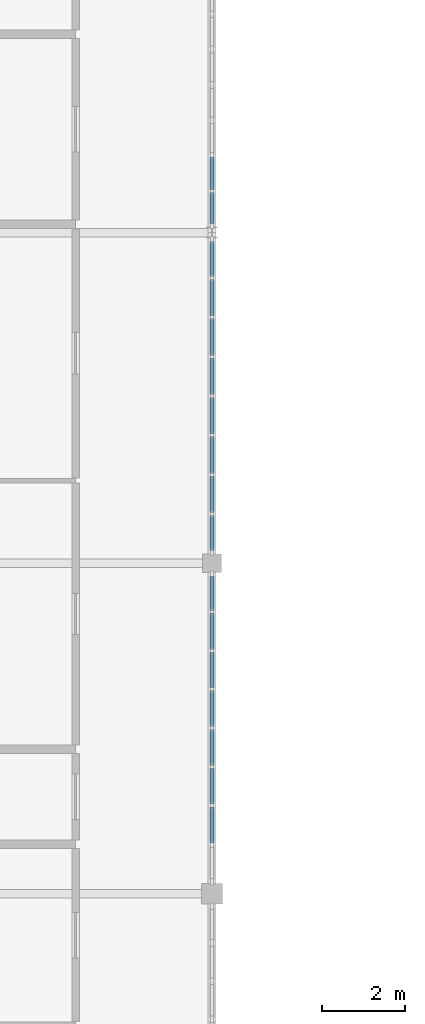
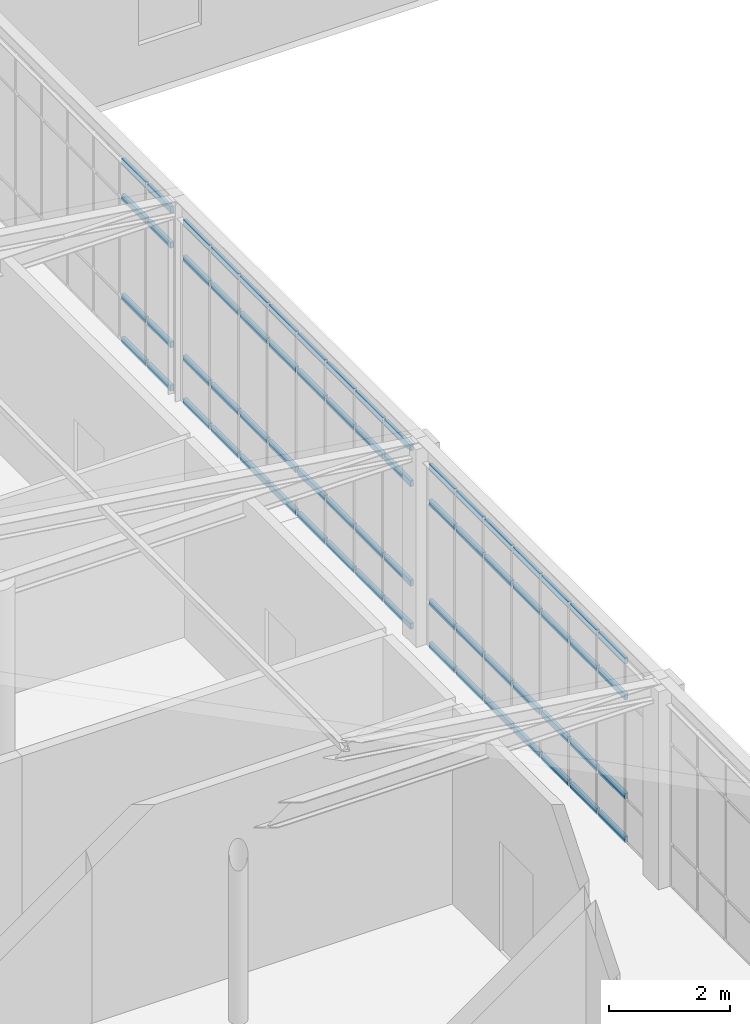
# One storey, part 10 of 21: 68 members, 3 elements without a shape of their own.
"""IFC4 building model written with IfcOpenShell, lengths in metres."""

from ifc_helpers import new_model, si_unit, direction, frame, origin, origin_2d, place, context, subcontext, project, spatial, rectangle, extrude, material, material_profile, profile_set, type_object, element, aggregate, save


model = new_model("IFC4")

# Units and contexts
model_context = context("Model", 3, precision=1e-05, world=origin(), true_north=direction((0.0, 1.0)))
body_context = subcontext(model_context, "Body", "Model", "MODEL_VIEW")
ifc_project = project(units=[si_unit("LENGTHUNIT", "METRE"), si_unit("AREAUNIT", "SQUARE_METRE"), si_unit("VOLUMEUNIT", "CUBIC_METRE"), si_unit("PLANEANGLEUNIT", "RADIAN"), si_unit("MASSUNIT", "GRAM", prefix="KILO")], contexts=[model_context])

# Site, building, storey
site_placement = place(None, origin())
site = spatial("IfcSite", under=ifc_project, at=site_placement, CompositionType="ELEMENT")
building_placement = place(site_placement, origin())
building = spatial("IfcBuilding", under=site, at=building_placement, Name="Tarnveldt Square Police Headquarters", CompositionType="ELEMENT")
storey_placement = place(building_placement, frame((0.0, 0.0, 33.300048828125)))
storey = spatial("IfcBuildingStorey", under=building, at=storey_placement, Name="L07", CompositionType="ELEMENT", Elevation=33.300048828125)

# Curtain wall, members
ifc_material_1 = material(Name="Triple-glazed low-e laminated vision glass", Category="glass")
curtain_wall_type_1 = type_object("IfcCurtainWallType", Name="CW-UP-750x366", PredefinedType="USERDEFINED", material=ifc_material_1)
curtain_wall_1_placement = place(storey_placement, origin())
curtain_wall_1 = element("IfcCurtainWall", 1, at=curtain_wall_1_placement, inside=storey, type_object=curtain_wall_type_1, Name="L07 Curtain Wall CW-L07-096", ObjectType="GLAZED CURTAIN WALL", PredefinedType="USERDEFINED")
ifc_material_2 = material(Name="Thermally broken anodised aluminium 6063-T6", Category="aluminium")
ifc_material_profile = material_profile(ifc_material_2, rectangle(XDim=0.06494140625, YDim=0.1201171875, at=origin_2d()), Name="CW-T65x120")
ifc_profile_set = profile_set([ifc_material_profile], Name="Thermally broken anodised aluminium 6063-T6")
member_type = type_object("IfcMemberType", Name="CWT-65x120", PredefinedType="USERDEFINED", material=ifc_profile_set)
member_1_placement = place(storey_placement, frame((40.5, 73.234375, 0.032470703125), z_axis=(0.0, 1.0, 0.0), x_axis=(-1.0, 0.0, 0.0)))
member_1 = element("IfcMember", 2, at=member_1_placement, type_object=member_type, Name="CW-UP53 transom 2.1", ObjectType="TRANSOM", PredefinedType="USERDEFINED", context=body_context, shape_type="SweptSolid", body=[
    extrude(rectangle(XDim=0.06494140625, YDim=0.1201171875, at=origin_2d()), origin(), (0.0, 0.0, 1.0), 0.871826171875),
])
member_2_placement = place(storey_placement, frame((40.5, 73.234375, 0.89990234375), z_axis=(0.0, 1.0, 0.0), x_axis=(-1.0, 0.0, 0.0)))
member_2 = element("IfcMember", 3, at=member_2_placement, type_object=member_type, Name="CW-UP53 transom 2.2", ObjectType="TRANSOM", PredefinedType="USERDEFINED", context=body_context, shape_type="SweptSolid", body=[
    extrude(rectangle(XDim=0.06494140625, YDim=0.1201171875, at=origin_2d()), origin(), (0.0, 0.0, 1.0), 0.871826171875),
])
member_3_placement = place(storey_placement, frame((40.5, 73.234375, 2.905029296875), z_axis=(0.0, 1.0, 0.0), x_axis=(-1.0, 0.0, 0.0)))
member_3 = element("IfcMember", 4, at=member_3_placement, type_object=member_type, Name="CW-UP53 transom 2.3", ObjectType="TRANSOM", PredefinedType="USERDEFINED", context=body_context, shape_type="SweptSolid", body=[
    extrude(rectangle(XDim=0.06494140625, YDim=0.1201171875, at=origin_2d()), origin(), (0.0, 0.0, 1.0), 0.871826171875),
])
member_4_placement = place(storey_placement, frame((40.5, 73.234375, 3.62255859375), z_axis=(0.0, 1.0, 0.0), x_axis=(-1.0, 0.0, 0.0)))
member_4 = element("IfcMember", 5, at=member_4_placement, type_object=member_type, Name="CW-UP53 transom 2.4", ObjectType="TRANSOM", PredefinedType="USERDEFINED", context=body_context, shape_type="SweptSolid", body=[
    extrude(rectangle(XDim=0.06494140625, YDim=0.1201171875, at=origin_2d()), origin(), (0.0, 0.0, 1.0), 0.871826171875),
])
member_5_placement = place(storey_placement, frame((40.5, 74.171142578125, 0.032470703125), z_axis=(0.0, 1.0, 0.0), x_axis=(-1.0, 0.0, 0.0)))
member_5 = element("IfcMember", 6, at=member_5_placement, type_object=member_type, Name="CW-UP53 transom 3.1", ObjectType="TRANSOM", PredefinedType="USERDEFINED", context=body_context, shape_type="SweptSolid", body=[
    extrude(rectangle(XDim=0.06494140625, YDim=0.1201171875, at=origin_2d()), origin(), (0.0, 0.0, 1.0), 0.8720703125),
])
member_6_placement = place(storey_placement, frame((40.5, 74.171142578125, 0.89990234375), z_axis=(0.0, 1.0, 0.0), x_axis=(-1.0, 0.0, 0.0)))
member_6 = element("IfcMember", 7, at=member_6_placement, type_object=member_type, Name="CW-UP53 transom 3.2", ObjectType="TRANSOM", PredefinedType="USERDEFINED", context=body_context, shape_type="SweptSolid", body=[
    extrude(rectangle(XDim=0.06494140625, YDim=0.1201171875, at=origin_2d()), origin(), (0.0, 0.0, 1.0), 0.8720703125),
])
member_7_placement = place(storey_placement, frame((40.5, 74.171142578125, 2.905029296875), z_axis=(0.0, 1.0, 0.0), x_axis=(-1.0, 0.0, 0.0)))
member_7 = element("IfcMember", 8, at=member_7_placement, type_object=member_type, Name="CW-UP53 transom 3.3", ObjectType="TRANSOM", PredefinedType="USERDEFINED", context=body_context, shape_type="SweptSolid", body=[
    extrude(rectangle(XDim=0.06494140625, YDim=0.1201171875, at=origin_2d()), origin(), (0.0, 0.0, 1.0), 0.8720703125),
])
member_8_placement = place(storey_placement, frame((40.5, 74.171142578125, 3.62255859375), z_axis=(0.0, 1.0, 0.0), x_axis=(-1.0, 0.0, 0.0)))
member_8 = element("IfcMember", 9, at=member_8_placement, type_object=member_type, Name="CW-UP53 transom 3.4", ObjectType="TRANSOM", PredefinedType="USERDEFINED", context=body_context, shape_type="SweptSolid", body=[
    extrude(rectangle(XDim=0.06494140625, YDim=0.1201171875, at=origin_2d()), origin(), (0.0, 0.0, 1.0), 0.8720703125),
])
member_9_placement = place(storey_placement, frame((40.5, 75.108154296875, 0.032470703125), z_axis=(0.0, 1.0, 0.0), x_axis=(-1.0, 0.0, 0.0)))
member_9 = element("IfcMember", 10, at=member_9_placement, type_object=member_type, Name="CW-UP53 transom 4.1", ObjectType="TRANSOM", PredefinedType="USERDEFINED", context=body_context, shape_type="SweptSolid", body=[
    extrude(rectangle(XDim=0.06494140625, YDim=0.1201171875, at=origin_2d()), origin(), (0.0, 0.0, 1.0), 0.871826171875),
])
member_10_placement = place(storey_placement, frame((40.5, 75.108154296875, 0.89990234375), z_axis=(0.0, 1.0, 0.0), x_axis=(-1.0, 0.0, 0.0)))
member_10 = element("IfcMember", 11, at=member_10_placement, type_object=member_type, Name="CW-UP53 transom 4.2", ObjectType="TRANSOM", PredefinedType="USERDEFINED", context=body_context, shape_type="SweptSolid", body=[
    extrude(rectangle(XDim=0.06494140625, YDim=0.1201171875, at=origin_2d()), origin(), (0.0, 0.0, 1.0), 0.871826171875),
])
member_11_placement = place(storey_placement, frame((40.5, 75.108154296875, 2.905029296875), z_axis=(0.0, 1.0, 0.0), x_axis=(-1.0, 0.0, 0.0)))
member_11 = element("IfcMember", 12, at=member_11_placement, type_object=member_type, Name="CW-UP53 transom 4.3", ObjectType="TRANSOM", PredefinedType="USERDEFINED", context=body_context, shape_type="SweptSolid", body=[
    extrude(rectangle(XDim=0.06494140625, YDim=0.1201171875, at=origin_2d()), origin(), (0.0, 0.0, 1.0), 0.871826171875),
])
member_12_placement = place(storey_placement, frame((40.5, 75.108154296875, 3.62255859375), z_axis=(0.0, 1.0, 0.0), x_axis=(-1.0, 0.0, 0.0)))
member_12 = element("IfcMember", 13, at=member_12_placement, type_object=member_type, Name="CW-UP53 transom 4.4", ObjectType="TRANSOM", PredefinedType="USERDEFINED", context=body_context, shape_type="SweptSolid", body=[
    extrude(rectangle(XDim=0.06494140625, YDim=0.1201171875, at=origin_2d()), origin(), (0.0, 0.0, 1.0), 0.871826171875),
])
member_13_placement = place(storey_placement, frame((40.5, 76.044921875, 0.032470703125), z_axis=(0.0, 1.0, 0.0), x_axis=(-1.0, 0.0, 0.0)))
member_13 = element("IfcMember", 14, at=member_13_placement, type_object=member_type, Name="CW-UP53 transom 5.1", ObjectType="TRANSOM", PredefinedType="USERDEFINED", context=body_context, shape_type="SweptSolid", body=[
    extrude(rectangle(XDim=0.06494140625, YDim=0.1201171875, at=origin_2d()), origin(), (0.0, 0.0, 1.0), 0.8720703125),
])
member_14_placement = place(storey_placement, frame((40.5, 76.044921875, 0.89990234375), z_axis=(0.0, 1.0, 0.0), x_axis=(-1.0, 0.0, 0.0)))
member_14 = element("IfcMember", 15, at=member_14_placement, type_object=member_type, Name="CW-UP53 transom 5.2", ObjectType="TRANSOM", PredefinedType="USERDEFINED", context=body_context, shape_type="SweptSolid", body=[
    extrude(rectangle(XDim=0.06494140625, YDim=0.1201171875, at=origin_2d()), origin(), (0.0, 0.0, 1.0), 0.8720703125),
])
member_15_placement = place(storey_placement, frame((40.5, 76.044921875, 2.905029296875), z_axis=(0.0, 1.0, 0.0), x_axis=(-1.0, 0.0, 0.0)))
member_15 = element("IfcMember", 16, at=member_15_placement, type_object=member_type, Name="CW-UP53 transom 5.3", ObjectType="TRANSOM", PredefinedType="USERDEFINED", context=body_context, shape_type="SweptSolid", body=[
    extrude(rectangle(XDim=0.06494140625, YDim=0.1201171875, at=origin_2d()), origin(), (0.0, 0.0, 1.0), 0.8720703125),
])
member_16_placement = place(storey_placement, frame((40.5, 76.044921875, 3.62255859375), z_axis=(0.0, 1.0, 0.0), x_axis=(-1.0, 0.0, 0.0)))
member_16 = element("IfcMember", 17, at=member_16_placement, type_object=member_type, Name="CW-UP53 transom 5.4", ObjectType="TRANSOM", PredefinedType="USERDEFINED", context=body_context, shape_type="SweptSolid", body=[
    extrude(rectangle(XDim=0.06494140625, YDim=0.1201171875, at=origin_2d()), origin(), (0.0, 0.0, 1.0), 0.8720703125),
])
member_17_placement = place(storey_placement, frame((40.5, 76.98193359375, 0.032470703125), z_axis=(0.0, 1.0, 0.0), x_axis=(-1.0, 0.0, 0.0)))
member_17 = element("IfcMember", 18, at=member_17_placement, type_object=member_type, Name="CW-UP53 transom 6.1", ObjectType="TRANSOM", PredefinedType="USERDEFINED", context=body_context, shape_type="SweptSolid", body=[
    extrude(rectangle(XDim=0.06494140625, YDim=0.1201171875, at=origin_2d()), origin(), (0.0, 0.0, 1.0), 0.871826171875),
])
member_18_placement = place(storey_placement, frame((40.5, 76.98193359375, 0.89990234375), z_axis=(0.0, 1.0, 0.0), x_axis=(-1.0, 0.0, 0.0)))
member_18 = element("IfcMember", 19, at=member_18_placement, type_object=member_type, Name="CW-UP53 transom 6.2", ObjectType="TRANSOM", PredefinedType="USERDEFINED", context=body_context, shape_type="SweptSolid", body=[
    extrude(rectangle(XDim=0.06494140625, YDim=0.1201171875, at=origin_2d()), origin(), (0.0, 0.0, 1.0), 0.871826171875),
])
member_19_placement = place(storey_placement, frame((40.5, 76.98193359375, 2.905029296875), z_axis=(0.0, 1.0, 0.0), x_axis=(-1.0, 0.0, 0.0)))
member_19 = element("IfcMember", 20, at=member_19_placement, type_object=member_type, Name="CW-UP53 transom 6.3", ObjectType="TRANSOM", PredefinedType="USERDEFINED", context=body_context, shape_type="SweptSolid", body=[
    extrude(rectangle(XDim=0.06494140625, YDim=0.1201171875, at=origin_2d()), origin(), (0.0, 0.0, 1.0), 0.871826171875),
])
member_20_placement = place(storey_placement, frame((40.5, 76.98193359375, 3.62255859375), z_axis=(0.0, 1.0, 0.0), x_axis=(-1.0, 0.0, 0.0)))
member_20 = element("IfcMember", 21, at=member_20_placement, type_object=member_type, Name="CW-UP53 transom 6.4", ObjectType="TRANSOM", PredefinedType="USERDEFINED", context=body_context, shape_type="SweptSolid", body=[
    extrude(rectangle(XDim=0.06494140625, YDim=0.1201171875, at=origin_2d()), origin(), (0.0, 0.0, 1.0), 0.871826171875),
])
member_21_placement = place(storey_placement, frame((40.5, 77.918701171875, 0.032470703125), z_axis=(0.0, 1.0, 0.0), x_axis=(-1.0, 0.0, 0.0)))
member_21 = element("IfcMember", 22, at=member_21_placement, type_object=member_type, Name="CW-UP53 transom 7.1", ObjectType="TRANSOM", PredefinedType="USERDEFINED", context=body_context, shape_type="SweptSolid", body=[
    extrude(rectangle(XDim=0.06494140625, YDim=0.1201171875, at=origin_2d()), origin(), (0.0, 0.0, 1.0), 0.871826171875),
])
member_22_placement = place(storey_placement, frame((40.5, 77.918701171875, 0.89990234375), z_axis=(0.0, 1.0, 0.0), x_axis=(-1.0, 0.0, 0.0)))
member_22 = element("IfcMember", 23, at=member_22_placement, type_object=member_type, Name="CW-UP53 transom 7.2", ObjectType="TRANSOM", PredefinedType="USERDEFINED", context=body_context, shape_type="SweptSolid", body=[
    extrude(rectangle(XDim=0.06494140625, YDim=0.1201171875, at=origin_2d()), origin(), (0.0, 0.0, 1.0), 0.871826171875),
])
member_23_placement = place(storey_placement, frame((40.5, 77.918701171875, 2.905029296875), z_axis=(0.0, 1.0, 0.0), x_axis=(-1.0, 0.0, 0.0)))
member_23 = element("IfcMember", 24, at=member_23_placement, type_object=member_type, Name="CW-UP53 transom 7.3", ObjectType="TRANSOM", PredefinedType="USERDEFINED", context=body_context, shape_type="SweptSolid", body=[
    extrude(rectangle(XDim=0.06494140625, YDim=0.1201171875, at=origin_2d()), origin(), (0.0, 0.0, 1.0), 0.871826171875),
])
member_24_placement = place(storey_placement, frame((40.5, 77.918701171875, 3.62255859375), z_axis=(0.0, 1.0, 0.0), x_axis=(-1.0, 0.0, 0.0)))
member_24 = element("IfcMember", 25, at=member_24_placement, type_object=member_type, Name="CW-UP53 transom 7.4", ObjectType="TRANSOM", PredefinedType="USERDEFINED", context=body_context, shape_type="SweptSolid", body=[
    extrude(rectangle(XDim=0.06494140625, YDim=0.1201171875, at=origin_2d()), origin(), (0.0, 0.0, 1.0), 0.871826171875),
])
member_25_placement = place(storey_placement, frame((40.5, 78.855712890625, 0.032470703125), z_axis=(0.0, 1.0, 0.0), x_axis=(-1.0, 0.0, 0.0)))
member_25 = element("IfcMember", 26, at=member_25_placement, type_object=member_type, Name="CW-UP53 transom 8.1", ObjectType="TRANSOM", PredefinedType="USERDEFINED", context=body_context, shape_type="SweptSolid", body=[
    extrude(rectangle(XDim=0.06494140625, YDim=0.1201171875, at=origin_2d()), origin(), (0.0, 0.0, 1.0), 0.83935546875),
])
member_26_placement = place(storey_placement, frame((40.5, 78.855712890625, 0.89990234375), z_axis=(0.0, 1.0, 0.0), x_axis=(-1.0, 0.0, 0.0)))
member_26 = element("IfcMember", 27, at=member_26_placement, type_object=member_type, Name="CW-UP53 transom 8.2", ObjectType="TRANSOM", PredefinedType="USERDEFINED", context=body_context, shape_type="SweptSolid", body=[
    extrude(rectangle(XDim=0.06494140625, YDim=0.1201171875, at=origin_2d()), origin(), (0.0, 0.0, 1.0), 0.83935546875),
])
member_27_placement = place(storey_placement, frame((40.5, 78.855712890625, 2.905029296875), z_axis=(0.0, 1.0, 0.0), x_axis=(-1.0, 0.0, 0.0)))
member_27 = element("IfcMember", 28, at=member_27_placement, type_object=member_type, Name="CW-UP53 transom 8.3", ObjectType="TRANSOM", PredefinedType="USERDEFINED", context=body_context, shape_type="SweptSolid", body=[
    extrude(rectangle(XDim=0.06494140625, YDim=0.1201171875, at=origin_2d()), origin(), (0.0, 0.0, 1.0), 0.83935546875),
])
member_28_placement = place(storey_placement, frame((40.5, 78.855712890625, 3.62255859375), z_axis=(0.0, 1.0, 0.0), x_axis=(-1.0, 0.0, 0.0)))
member_28 = element("IfcMember", 29, at=member_28_placement, type_object=member_type, Name="CW-UP53 transom 8.4", ObjectType="TRANSOM", PredefinedType="USERDEFINED", context=body_context, shape_type="SweptSolid", body=[
    extrude(rectangle(XDim=0.06494140625, YDim=0.1201171875, at=origin_2d()), origin(), (0.0, 0.0, 1.0), 0.83935546875),
])
aggregate(curtain_wall_1, [member_1, member_2, member_3, member_4, member_5, member_6, member_7, member_8, member_9, member_10, member_11, member_12, member_13, member_14, member_15, member_16, member_17, member_18, member_19, member_20, member_21, member_22, member_23, member_24, member_25, member_26, member_27, member_28])

curtain_wall_type_2 = type_object("IfcCurtainWallType", Name="CW-UP-762x366", PredefinedType="USERDEFINED", material=ifc_material_1)
curtain_wall_2_placement = place(storey_placement, origin())
curtain_wall_2 = element("IfcCurtainWall", 30, at=curtain_wall_2_placement, inside=storey, type_object=curtain_wall_type_2, Name="L07 Curtain Wall CW-L07-097", ObjectType="GLAZED CURTAIN WALL", PredefinedType="USERDEFINED")
member_29_placement = place(storey_placement, frame((40.5, 80.304931640625, 0.032470703125), z_axis=(0.0, 1.0, 0.0), x_axis=(-1.0, 0.0, 0.0)))
member_29 = element("IfcMember", 31, at=member_29_placement, type_object=member_type, Name="CW-UP54 transom 1.1", ObjectType="TRANSOM", PredefinedType="USERDEFINED", context=body_context, shape_type="SweptSolid", body=[
    extrude(rectangle(XDim=0.06494140625, YDim=0.1201171875, at=origin_2d()), origin(), (0.0, 0.0, 1.0), 0.8544921875),
])
member_30_placement = place(storey_placement, frame((40.5, 80.304931640625, 0.89990234375), z_axis=(0.0, 1.0, 0.0), x_axis=(-1.0, 0.0, 0.0)))
member_30 = element("IfcMember", 32, at=member_30_placement, type_object=member_type, Name="CW-UP54 transom 1.2", ObjectType="TRANSOM", PredefinedType="USERDEFINED", context=body_context, shape_type="SweptSolid", body=[
    extrude(rectangle(XDim=0.06494140625, YDim=0.1201171875, at=origin_2d()), origin(), (0.0, 0.0, 1.0), 0.8544921875),
])
member_31_placement = place(storey_placement, frame((40.5, 80.304931640625, 2.905029296875), z_axis=(0.0, 1.0, 0.0), x_axis=(-1.0, 0.0, 0.0)))
member_31 = element("IfcMember", 33, at=member_31_placement, type_object=member_type, Name="CW-UP54 transom 1.3", ObjectType="TRANSOM", PredefinedType="USERDEFINED", context=body_context, shape_type="SweptSolid", body=[
    extrude(rectangle(XDim=0.06494140625, YDim=0.1201171875, at=origin_2d()), origin(), (0.0, 0.0, 1.0), 0.8544921875),
])
member_32_placement = place(storey_placement, frame((40.5, 80.304931640625, 3.62255859375), z_axis=(0.0, 1.0, 0.0), x_axis=(-1.0, 0.0, 0.0)))
member_32 = element("IfcMember", 34, at=member_32_placement, type_object=member_type, Name="CW-UP54 transom 1.4", ObjectType="TRANSOM", PredefinedType="USERDEFINED", context=body_context, shape_type="SweptSolid", body=[
    extrude(rectangle(XDim=0.06494140625, YDim=0.1201171875, at=origin_2d()), origin(), (0.0, 0.0, 1.0), 0.8544921875),
])
member_33_placement = place(storey_placement, frame((40.5, 81.224365234375, 0.032470703125), z_axis=(0.0, 1.0, 0.0), x_axis=(-1.0, 0.0, 0.0)))
member_33 = element("IfcMember", 35, at=member_33_placement, type_object=member_type, Name="CW-UP54 transom 2.1", ObjectType="TRANSOM", PredefinedType="USERDEFINED", context=body_context, shape_type="SweptSolid", body=[
    extrude(rectangle(XDim=0.06494140625, YDim=0.1201171875, at=origin_2d()), origin(), (0.0, 0.0, 1.0), 0.886962890625),
])
member_34_placement = place(storey_placement, frame((40.5, 81.224365234375, 0.89990234375), z_axis=(0.0, 1.0, 0.0), x_axis=(-1.0, 0.0, 0.0)))
member_34 = element("IfcMember", 36, at=member_34_placement, type_object=member_type, Name="CW-UP54 transom 2.2", ObjectType="TRANSOM", PredefinedType="USERDEFINED", context=body_context, shape_type="SweptSolid", body=[
    extrude(rectangle(XDim=0.06494140625, YDim=0.1201171875, at=origin_2d()), origin(), (0.0, 0.0, 1.0), 0.886962890625),
])
member_35_placement = place(storey_placement, frame((40.5, 81.224365234375, 2.905029296875), z_axis=(0.0, 1.0, 0.0), x_axis=(-1.0, 0.0, 0.0)))
member_35 = element("IfcMember", 37, at=member_35_placement, type_object=member_type, Name="CW-UP54 transom 2.3", ObjectType="TRANSOM", PredefinedType="USERDEFINED", context=body_context, shape_type="SweptSolid", body=[
    extrude(rectangle(XDim=0.06494140625, YDim=0.1201171875, at=origin_2d()), origin(), (0.0, 0.0, 1.0), 0.886962890625),
])
member_36_placement = place(storey_placement, frame((40.5, 81.224365234375, 3.62255859375), z_axis=(0.0, 1.0, 0.0), x_axis=(-1.0, 0.0, 0.0)))
member_36 = element("IfcMember", 38, at=member_36_placement, type_object=member_type, Name="CW-UP54 transom 2.4", ObjectType="TRANSOM", PredefinedType="USERDEFINED", context=body_context, shape_type="SweptSolid", body=[
    extrude(rectangle(XDim=0.06494140625, YDim=0.1201171875, at=origin_2d()), origin(), (0.0, 0.0, 1.0), 0.886962890625),
])
member_37_placement = place(storey_placement, frame((40.5, 82.17626953125, 0.032470703125), z_axis=(0.0, 1.0, 0.0), x_axis=(-1.0, 0.0, 0.0)))
member_37 = element("IfcMember", 39, at=member_37_placement, type_object=member_type, Name="CW-UP54 transom 3.1", ObjectType="TRANSOM", PredefinedType="USERDEFINED", context=body_context, shape_type="SweptSolid", body=[
    extrude(rectangle(XDim=0.06494140625, YDim=0.1201171875, at=origin_2d()), origin(), (0.0, 0.0, 1.0), 0.886962890625),
])
member_38_placement = place(storey_placement, frame((40.5, 82.17626953125, 0.89990234375), z_axis=(0.0, 1.0, 0.0), x_axis=(-1.0, 0.0, 0.0)))
member_38 = element("IfcMember", 40, at=member_38_placement, type_object=member_type, Name="CW-UP54 transom 3.2", ObjectType="TRANSOM", PredefinedType="USERDEFINED", context=body_context, shape_type="SweptSolid", body=[
    extrude(rectangle(XDim=0.06494140625, YDim=0.1201171875, at=origin_2d()), origin(), (0.0, 0.0, 1.0), 0.886962890625),
])
member_39_placement = place(storey_placement, frame((40.5, 82.17626953125, 2.905029296875), z_axis=(0.0, 1.0, 0.0), x_axis=(-1.0, 0.0, 0.0)))
member_39 = element("IfcMember", 41, at=member_39_placement, type_object=member_type, Name="CW-UP54 transom 3.3", ObjectType="TRANSOM", PredefinedType="USERDEFINED", context=body_context, shape_type="SweptSolid", body=[
    extrude(rectangle(XDim=0.06494140625, YDim=0.1201171875, at=origin_2d()), origin(), (0.0, 0.0, 1.0), 0.886962890625),
])
member_40_placement = place(storey_placement, frame((40.5, 82.17626953125, 3.62255859375), z_axis=(0.0, 1.0, 0.0), x_axis=(-1.0, 0.0, 0.0)))
member_40 = element("IfcMember", 42, at=member_40_placement, type_object=member_type, Name="CW-UP54 transom 3.4", ObjectType="TRANSOM", PredefinedType="USERDEFINED", context=body_context, shape_type="SweptSolid", body=[
    extrude(rectangle(XDim=0.06494140625, YDim=0.1201171875, at=origin_2d()), origin(), (0.0, 0.0, 1.0), 0.886962890625),
])
member_41_placement = place(storey_placement, frame((40.5, 83.128173828125, 0.032470703125), z_axis=(0.0, 1.0, 0.0), x_axis=(-1.0, 0.0, 0.0)))
member_41 = element("IfcMember", 43, at=member_41_placement, type_object=member_type, Name="CW-UP54 transom 4.1", ObjectType="TRANSOM", PredefinedType="USERDEFINED", context=body_context, shape_type="SweptSolid", body=[
    extrude(rectangle(XDim=0.06494140625, YDim=0.1201171875, at=origin_2d()), origin(), (0.0, 0.0, 1.0), 0.88671875),
])
member_42_placement = place(storey_placement, frame((40.5, 83.128173828125, 0.89990234375), z_axis=(0.0, 1.0, 0.0), x_axis=(-1.0, 0.0, 0.0)))
member_42 = element("IfcMember", 44, at=member_42_placement, type_object=member_type, Name="CW-UP54 transom 4.2", ObjectType="TRANSOM", PredefinedType="USERDEFINED", context=body_context, shape_type="SweptSolid", body=[
    extrude(rectangle(XDim=0.06494140625, YDim=0.1201171875, at=origin_2d()), origin(), (0.0, 0.0, 1.0), 0.88671875),
])
member_43_placement = place(storey_placement, frame((40.5, 83.128173828125, 2.905029296875), z_axis=(0.0, 1.0, 0.0), x_axis=(-1.0, 0.0, 0.0)))
member_43 = element("IfcMember", 45, at=member_43_placement, type_object=member_type, Name="CW-UP54 transom 4.3", ObjectType="TRANSOM", PredefinedType="USERDEFINED", context=body_context, shape_type="SweptSolid", body=[
    extrude(rectangle(XDim=0.06494140625, YDim=0.1201171875, at=origin_2d()), origin(), (0.0, 0.0, 1.0), 0.88671875),
])
member_44_placement = place(storey_placement, frame((40.5, 83.128173828125, 3.62255859375), z_axis=(0.0, 1.0, 0.0), x_axis=(-1.0, 0.0, 0.0)))
member_44 = element("IfcMember", 46, at=member_44_placement, type_object=member_type, Name="CW-UP54 transom 4.4", ObjectType="TRANSOM", PredefinedType="USERDEFINED", context=body_context, shape_type="SweptSolid", body=[
    extrude(rectangle(XDim=0.06494140625, YDim=0.1201171875, at=origin_2d()), origin(), (0.0, 0.0, 1.0), 0.88671875),
])
member_45_placement = place(storey_placement, frame((40.5, 84.080078125, 0.032470703125), z_axis=(0.0, 1.0, 0.0), x_axis=(-1.0, 0.0, 0.0)))
member_45 = element("IfcMember", 47, at=member_45_placement, type_object=member_type, Name="CW-UP54 transom 5.1", ObjectType="TRANSOM", PredefinedType="USERDEFINED", context=body_context, shape_type="SweptSolid", body=[
    extrude(rectangle(XDim=0.06494140625, YDim=0.1201171875, at=origin_2d()), origin(), (0.0, 0.0, 1.0), 0.88671875),
])
member_46_placement = place(storey_placement, frame((40.5, 84.080078125, 0.89990234375), z_axis=(0.0, 1.0, 0.0), x_axis=(-1.0, 0.0, 0.0)))
member_46 = element("IfcMember", 48, at=member_46_placement, type_object=member_type, Name="CW-UP54 transom 5.2", ObjectType="TRANSOM", PredefinedType="USERDEFINED", context=body_context, shape_type="SweptSolid", body=[
    extrude(rectangle(XDim=0.06494140625, YDim=0.1201171875, at=origin_2d()), origin(), (0.0, 0.0, 1.0), 0.88671875),
])
member_47_placement = place(storey_placement, frame((40.5, 84.080078125, 2.905029296875), z_axis=(0.0, 1.0, 0.0), x_axis=(-1.0, 0.0, 0.0)))
member_47 = element("IfcMember", 49, at=member_47_placement, type_object=member_type, Name="CW-UP54 transom 5.3", ObjectType="TRANSOM", PredefinedType="USERDEFINED", context=body_context, shape_type="SweptSolid", body=[
    extrude(rectangle(XDim=0.06494140625, YDim=0.1201171875, at=origin_2d()), origin(), (0.0, 0.0, 1.0), 0.88671875),
])
member_48_placement = place(storey_placement, frame((40.5, 84.080078125, 3.62255859375), z_axis=(0.0, 1.0, 0.0), x_axis=(-1.0, 0.0, 0.0)))
member_48 = element("IfcMember", 50, at=member_48_placement, type_object=member_type, Name="CW-UP54 transom 5.4", ObjectType="TRANSOM", PredefinedType="USERDEFINED", context=body_context, shape_type="SweptSolid", body=[
    extrude(rectangle(XDim=0.06494140625, YDim=0.1201171875, at=origin_2d()), origin(), (0.0, 0.0, 1.0), 0.88671875),
])
member_49_placement = place(storey_placement, frame((40.5, 85.031982421875, 0.032470703125), z_axis=(0.0, 1.0, 0.0), x_axis=(-1.0, 0.0, 0.0)))
member_49 = element("IfcMember", 51, at=member_49_placement, type_object=member_type, Name="CW-UP54 transom 6.1", ObjectType="TRANSOM", PredefinedType="USERDEFINED", context=body_context, shape_type="SweptSolid", body=[
    extrude(rectangle(XDim=0.06494140625, YDim=0.1201171875, at=origin_2d()), origin(), (0.0, 0.0, 1.0), 0.88671875),
])
member_50_placement = place(storey_placement, frame((40.5, 85.031982421875, 0.89990234375), z_axis=(0.0, 1.0, 0.0), x_axis=(-1.0, 0.0, 0.0)))
member_50 = element("IfcMember", 52, at=member_50_placement, type_object=member_type, Name="CW-UP54 transom 6.2", ObjectType="TRANSOM", PredefinedType="USERDEFINED", context=body_context, shape_type="SweptSolid", body=[
    extrude(rectangle(XDim=0.06494140625, YDim=0.1201171875, at=origin_2d()), origin(), (0.0, 0.0, 1.0), 0.88671875),
])
member_51_placement = place(storey_placement, frame((40.5, 85.031982421875, 2.905029296875), z_axis=(0.0, 1.0, 0.0), x_axis=(-1.0, 0.0, 0.0)))
member_51 = element("IfcMember", 53, at=member_51_placement, type_object=member_type, Name="CW-UP54 transom 6.3", ObjectType="TRANSOM", PredefinedType="USERDEFINED", context=body_context, shape_type="SweptSolid", body=[
    extrude(rectangle(XDim=0.06494140625, YDim=0.1201171875, at=origin_2d()), origin(), (0.0, 0.0, 1.0), 0.88671875),
])
member_52_placement = place(storey_placement, frame((40.5, 85.031982421875, 3.62255859375), z_axis=(0.0, 1.0, 0.0), x_axis=(-1.0, 0.0, 0.0)))
member_52 = element("IfcMember", 54, at=member_52_placement, type_object=member_type, Name="CW-UP54 transom 6.4", ObjectType="TRANSOM", PredefinedType="USERDEFINED", context=body_context, shape_type="SweptSolid", body=[
    extrude(rectangle(XDim=0.06494140625, YDim=0.1201171875, at=origin_2d()), origin(), (0.0, 0.0, 1.0), 0.88671875),
])
member_53_placement = place(storey_placement, frame((40.5, 85.983642578125, 0.032470703125), z_axis=(0.0, 1.0, 0.0), x_axis=(-1.0, 0.0, 0.0)))
member_53 = element("IfcMember", 55, at=member_53_placement, type_object=member_type, Name="CW-UP54 transom 7.1", ObjectType="TRANSOM", PredefinedType="USERDEFINED", context=body_context, shape_type="SweptSolid", body=[
    extrude(rectangle(XDim=0.06494140625, YDim=0.1201171875, at=origin_2d()), origin(), (0.0, 0.0, 1.0), 0.886962890625),
])
member_54_placement = place(storey_placement, frame((40.5, 85.983642578125, 0.89990234375), z_axis=(0.0, 1.0, 0.0), x_axis=(-1.0, 0.0, 0.0)))
member_54 = element("IfcMember", 56, at=member_54_placement, type_object=member_type, Name="CW-UP54 transom 7.2", ObjectType="TRANSOM", PredefinedType="USERDEFINED", context=body_context, shape_type="SweptSolid", body=[
    extrude(rectangle(XDim=0.06494140625, YDim=0.1201171875, at=origin_2d()), origin(), (0.0, 0.0, 1.0), 0.886962890625),
])
member_55_placement = place(storey_placement, frame((40.5, 85.983642578125, 2.905029296875), z_axis=(0.0, 1.0, 0.0), x_axis=(-1.0, 0.0, 0.0)))
member_55 = element("IfcMember", 57, at=member_55_placement, type_object=member_type, Name="CW-UP54 transom 7.3", ObjectType="TRANSOM", PredefinedType="USERDEFINED", context=body_context, shape_type="SweptSolid", body=[
    extrude(rectangle(XDim=0.06494140625, YDim=0.1201171875, at=origin_2d()), origin(), (0.0, 0.0, 1.0), 0.886962890625),
])
member_56_placement = place(storey_placement, frame((40.5, 85.983642578125, 3.62255859375), z_axis=(0.0, 1.0, 0.0), x_axis=(-1.0, 0.0, 0.0)))
member_56 = element("IfcMember", 58, at=member_56_placement, type_object=member_type, Name="CW-UP54 transom 7.4", ObjectType="TRANSOM", PredefinedType="USERDEFINED", context=body_context, shape_type="SweptSolid", body=[
    extrude(rectangle(XDim=0.06494140625, YDim=0.1201171875, at=origin_2d()), origin(), (0.0, 0.0, 1.0), 0.886962890625),
])
member_57_placement = place(storey_placement, frame((40.5, 86.935546875, 0.032470703125), z_axis=(0.0, 1.0, 0.0), x_axis=(-1.0, 0.0, 0.0)))
member_57 = element("IfcMember", 59, at=member_57_placement, type_object=member_type, Name="CW-UP54 transom 8.1", ObjectType="TRANSOM", PredefinedType="USERDEFINED", context=body_context, shape_type="SweptSolid", body=[
    extrude(rectangle(XDim=0.06494140625, YDim=0.1201171875, at=origin_2d()), origin(), (0.0, 0.0, 1.0), 0.8544921875),
])
member_58_placement = place(storey_placement, frame((40.5, 86.935546875, 0.89990234375), z_axis=(0.0, 1.0, 0.0), x_axis=(-1.0, 0.0, 0.0)))
member_58 = element("IfcMember", 60, at=member_58_placement, type_object=member_type, Name="CW-UP54 transom 8.2", ObjectType="TRANSOM", PredefinedType="USERDEFINED", context=body_context, shape_type="SweptSolid", body=[
    extrude(rectangle(XDim=0.06494140625, YDim=0.1201171875, at=origin_2d()), origin(), (0.0, 0.0, 1.0), 0.8544921875),
])
member_59_placement = place(storey_placement, frame((40.5, 86.935546875, 2.905029296875), z_axis=(0.0, 1.0, 0.0), x_axis=(-1.0, 0.0, 0.0)))
member_59 = element("IfcMember", 61, at=member_59_placement, type_object=member_type, Name="CW-UP54 transom 8.3", ObjectType="TRANSOM", PredefinedType="USERDEFINED", context=body_context, shape_type="SweptSolid", body=[
    extrude(rectangle(XDim=0.06494140625, YDim=0.1201171875, at=origin_2d()), origin(), (0.0, 0.0, 1.0), 0.8544921875),
])
member_60_placement = place(storey_placement, frame((40.5, 86.935546875, 3.62255859375), z_axis=(0.0, 1.0, 0.0), x_axis=(-1.0, 0.0, 0.0)))
member_60 = element("IfcMember", 62, at=member_60_placement, type_object=member_type, Name="CW-UP54 transom 8.4", ObjectType="TRANSOM", PredefinedType="USERDEFINED", context=body_context, shape_type="SweptSolid", body=[
    extrude(rectangle(XDim=0.06494140625, YDim=0.1201171875, at=origin_2d()), origin(), (0.0, 0.0, 1.0), 0.8544921875),
])
aggregate(curtain_wall_2, [member_29, member_30, member_31, member_32, member_33, member_34, member_35, member_36, member_37, member_38, member_39, member_40, member_41, member_42, member_43, member_44, member_45, member_46, member_47, member_48, member_49, member_50, member_51, member_52, member_53, member_54, member_55, member_56, member_57, member_58, member_59, member_60])

curtain_wall_type_3 = type_object("IfcCurtainWallType", Name="CW-UP-771x366", PredefinedType="USERDEFINED", material=ifc_material_1)
curtain_wall_3_placement = place(storey_placement, origin())
curtain_wall_3 = element("IfcCurtainWall", 63, at=curtain_wall_3_placement, inside=storey, type_object=curtain_wall_type_3, Name="L07 Curtain Wall CW-L07-098", ObjectType="GLAZED CURTAIN WALL", PredefinedType="USERDEFINED")
member_61_placement = place(storey_placement, frame((40.5, 88.2099609375, 0.032470703125), z_axis=(0.0, 1.0, 0.0), x_axis=(-1.0, 0.0, 0.0)))
member_61 = element("IfcMember", 64, at=member_61_placement, type_object=member_type, Name="CW-UP55 transom 1.1", ObjectType="TRANSOM", PredefinedType="USERDEFINED", context=body_context, shape_type="SweptSolid", body=[
    extrude(rectangle(XDim=0.06494140625, YDim=0.1201171875, at=origin_2d()), origin(), (0.0, 0.0, 1.0), 0.759521484375),
])
member_62_placement = place(storey_placement, frame((40.5, 88.2099609375, 0.89990234375), z_axis=(0.0, 1.0, 0.0), x_axis=(-1.0, 0.0, 0.0)))
member_62 = element("IfcMember", 65, at=member_62_placement, type_object=member_type, Name="CW-UP55 transom 1.2", ObjectType="TRANSOM", PredefinedType="USERDEFINED", context=body_context, shape_type="SweptSolid", body=[
    extrude(rectangle(XDim=0.06494140625, YDim=0.1201171875, at=origin_2d()), origin(), (0.0, 0.0, 1.0), 0.759521484375),
])
member_63_placement = place(storey_placement, frame((40.5, 88.2099609375, 2.905029296875), z_axis=(0.0, 1.0, 0.0), x_axis=(-1.0, 0.0, 0.0)))
member_63 = element("IfcMember", 66, at=member_63_placement, type_object=member_type, Name="CW-UP55 transom 1.3", ObjectType="TRANSOM", PredefinedType="USERDEFINED", context=body_context, shape_type="SweptSolid", body=[
    extrude(rectangle(XDim=0.06494140625, YDim=0.1201171875, at=origin_2d()), origin(), (0.0, 0.0, 1.0), 0.759521484375),
])
member_64_placement = place(storey_placement, frame((40.5, 88.2099609375, 3.62255859375), z_axis=(0.0, 1.0, 0.0), x_axis=(-1.0, 0.0, 0.0)))
member_64 = element("IfcMember", 67, at=member_64_placement, type_object=member_type, Name="CW-UP55 transom 1.4", ObjectType="TRANSOM", PredefinedType="USERDEFINED", context=body_context, shape_type="SweptSolid", body=[
    extrude(rectangle(XDim=0.06494140625, YDim=0.1201171875, at=origin_2d()), origin(), (0.0, 0.0, 1.0), 0.759521484375),
])
member_65_placement = place(storey_placement, frame((40.5, 89.034423828125, 0.032470703125), z_axis=(0.0, 1.0, 0.0), x_axis=(-1.0, 0.0, 0.0)))
member_65 = element("IfcMember", 68, at=member_65_placement, type_object=member_type, Name="CW-UP55 transom 2.1", ObjectType="TRANSOM", PredefinedType="USERDEFINED", context=body_context, shape_type="SweptSolid", body=[
    extrude(rectangle(XDim=0.06494140625, YDim=0.1201171875, at=origin_2d()), origin(), (0.0, 0.0, 1.0), 0.7919921875),
])
member_66_placement = place(storey_placement, frame((40.5, 89.034423828125, 0.89990234375), z_axis=(0.0, 1.0, 0.0), x_axis=(-1.0, 0.0, 0.0)))
member_66 = element("IfcMember", 69, at=member_66_placement, type_object=member_type, Name="CW-UP55 transom 2.2", ObjectType="TRANSOM", PredefinedType="USERDEFINED", context=body_context, shape_type="SweptSolid", body=[
    extrude(rectangle(XDim=0.06494140625, YDim=0.1201171875, at=origin_2d()), origin(), (0.0, 0.0, 1.0), 0.7919921875),
])
member_67_placement = place(storey_placement, frame((40.5, 89.034423828125, 2.905029296875), z_axis=(0.0, 1.0, 0.0), x_axis=(-1.0, 0.0, 0.0)))
member_67 = element("IfcMember", 70, at=member_67_placement, type_object=member_type, Name="CW-UP55 transom 2.3", ObjectType="TRANSOM", PredefinedType="USERDEFINED", context=body_context, shape_type="SweptSolid", body=[
    extrude(rectangle(XDim=0.06494140625, YDim=0.1201171875, at=origin_2d()), origin(), (0.0, 0.0, 1.0), 0.7919921875),
])
member_68_placement = place(storey_placement, frame((40.5, 89.034423828125, 3.62255859375), z_axis=(0.0, 1.0, 0.0), x_axis=(-1.0, 0.0, 0.0)))
member_68 = element("IfcMember", 71, at=member_68_placement, type_object=member_type, Name="CW-UP55 transom 2.4", ObjectType="TRANSOM", PredefinedType="USERDEFINED", context=body_context, shape_type="SweptSolid", body=[
    extrude(rectangle(XDim=0.06494140625, YDim=0.1201171875, at=origin_2d()), origin(), (0.0, 0.0, 1.0), 0.7919921875),
])
aggregate(curtain_wall_3, [member_61, member_62, member_63, member_64, member_65, member_66, member_67, member_68])

save(model, "model.ifc")
